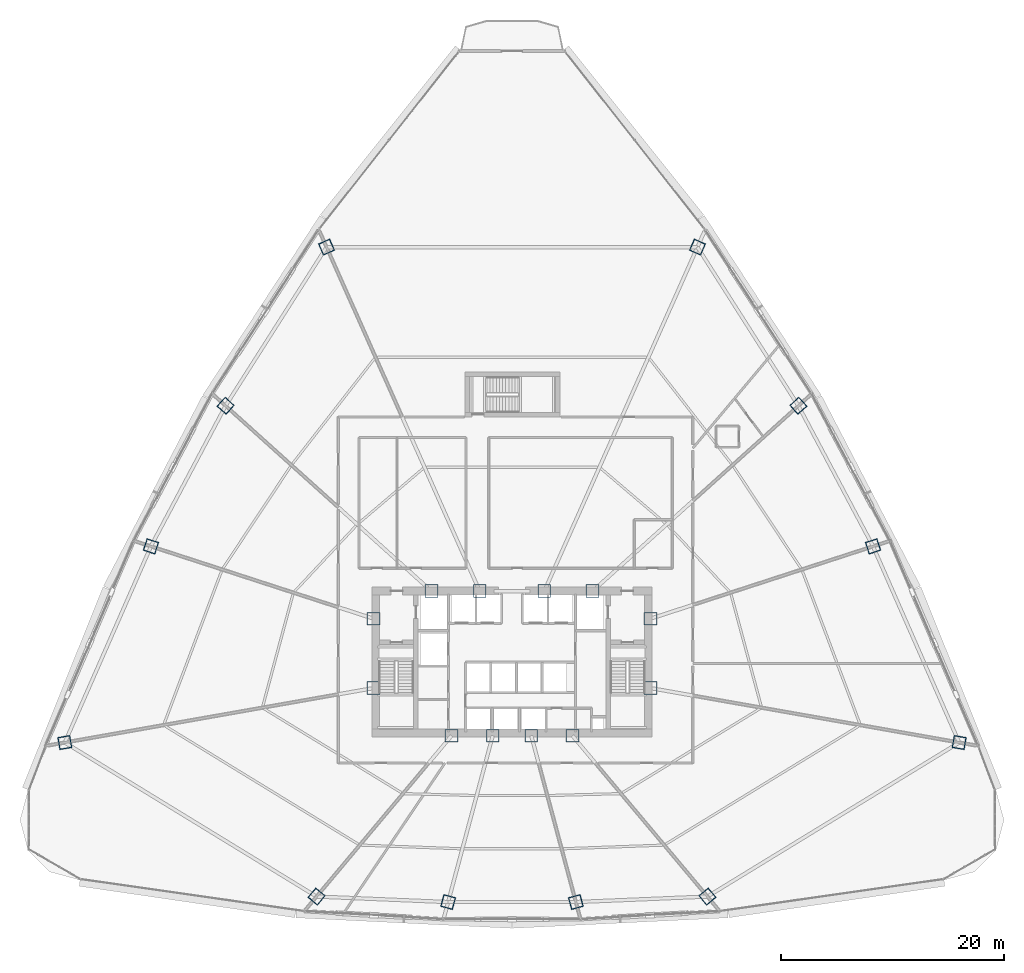
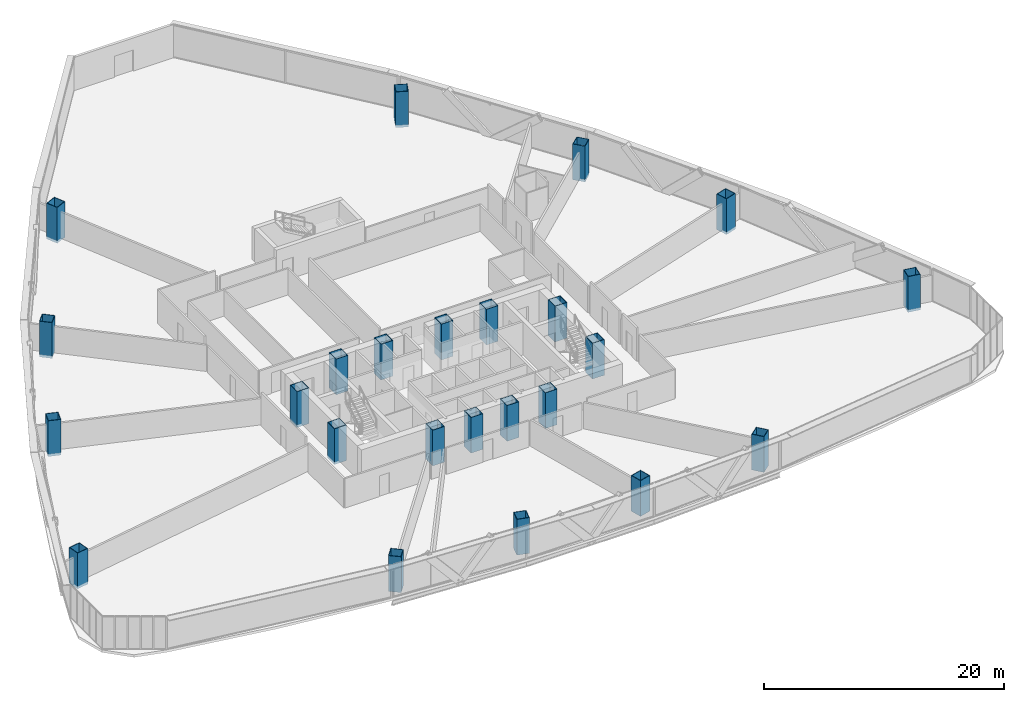
# One storey, part 1 of 42: 24 columns.
"""IFC4 building model written with IfcOpenShell, lengths in metres."""

from ifc_helpers import new_model, si_unit, direction, frame, origin, origin_2d, place, context, subcontext, project, spatial, hollow_rectangle, extrude, source, transform, mapped, material, material_profile, profile_set, type_object, element, save


model = new_model("IFC4")

# Units and contexts
model_context = context("Model", 3, precision=1e-05, world=origin(), true_north=direction((0.0, 1.0)))
body_context = subcontext(model_context, "Body", "Model", "MODEL_VIEW")
ifc_project = project(units=[si_unit("LENGTHUNIT", "METRE"), si_unit("AREAUNIT", "SQUARE_METRE"), si_unit("VOLUMEUNIT", "CUBIC_METRE"), si_unit("PLANEANGLEUNIT", "RADIAN"), si_unit("MASSUNIT", "GRAM", prefix="KILO"), si_unit("THERMODYNAMICTEMPERATUREUNIT", "KELVIN"), si_unit("POWERUNIT", "WATT")], contexts=[model_context])

# Site, building, storey
site_placement = place(None, origin())
site = spatial("IfcSite", under=ifc_project, at=site_placement, CompositionType="ELEMENT")
building_placement = place(site_placement, origin())
building = spatial("IfcBuilding", under=site, at=building_placement, Name="Yunzhuo Pagoda Commons", CompositionType="ELEMENT")
storey_placement = place(building_placement, frame((0.0, 0.0, 41.2900390625)))
storey = spatial("IfcBuildingStorey", under=building, at=storey_placement, Name="L10", CompositionType="ELEMENT", Elevation=41.2900390625)

# Columns
ifc_material = material(Name="Structural steel Q420B", Category="steel")
ifc_material_profile_1 = material_profile(ifc_material, hollow_rectangle(XDim=1.14990234375, YDim=1.14990234375, WallThickness=0.048095703125, at=origin_2d()), Name="Structural steel Q420B")
ifc_profile_set_1 = profile_set([ifc_material_profile_1], Name="Structural steel Q420B")
column_type_1 = type_object("IfcColumnType", Name="C-COR Column BOX 1150x1150x48", PredefinedType="COLUMN", material=ifc_profile_set_1)
shared_shape_1 = source(origin(), body_context, "Body", "SweptSolid", [
    extrude(hollow_rectangle(XDim=1.14990234375, YDim=1.14990234375, WallThickness=0.048095703125, at=origin_2d()), origin(), (0.0, 0.0, 1.0), 3.6298828125),
])
for number, where, z_axis, x_axis, name in (
    (1, (42.587890625, 27.25, -0.260009765625), (0.0, 0.0, 1.0), (1.0, 0.0, 0.0), "L10 core composite column F1C1"),
    (2, (46.27197265625, 27.25, -0.260009765625), (0.0, 0.0, 1.0), (1.0, 0.0, 0.0), "L10 core composite column F1C2"),
    (3, (49.728515625, 27.25, -0.260009765625), (0.0, 0.0, 1.0), (1.0, 0.0, 0.0), "L10 core composite column F1C3"),
    (4, (53.412109375, 27.25, -0.260009765625), (0.0, 0.0, 1.0), (1.0, 0.0, 0.0), "L10 core composite column F1C4"),
    (5, (60.39990234375, 31.513427734375, -0.260009765625), (0.0, 0.0, 1.0), (1.0, 0.0, 0.0), "L10 core composite column F2C1"),
    (6, (60.39990234375, 37.72900390625, -0.260009765625), (0.0, 0.0, 1.0), (1.0, 0.0, 0.0), "L10 core composite column F2C2"),
    (7, (55.218994140625, 40.199951171875, -0.260009765625), (0.0, 0.0, 1.0), (1.0, 0.0, 0.0), "L10 core composite column F2C3"),
    (8, (50.89404296875, 40.199951171875, -0.260009765625), (0.0, 0.0, 1.0), (1.0, 0.0, 0.0), "L10 core composite column F2C4"),
    (9, (45.10595703125, 40.199951171875, -0.260009765625), (0.0, 0.0, 1.0), (1.0, 0.0, 0.0), "L10 core composite column F3C1"),
    (10, (40.781005859375, 40.199951171875, -0.260009765625), (0.0, 0.0, 1.0), (1.0, 0.0, 0.0), "L10 core composite column F3C2"),
    (11, (35.60009765625, 37.72900390625, -0.260009765625), (0.0, 0.0, 1.0), (1.0, 0.0, 0.0), "L10 core composite column F3C3"),
    (12, (35.60009765625, 31.513427734375, -0.260009765625), (0.0, 0.0, 1.0), (1.0, 0.0, 0.0), "L10 core composite column F3C4"),
):
    element("IfcColumn", number, at=place(storey_placement, frame(where, z_axis=z_axis, x_axis=x_axis)), inside=storey, type_object=column_type_1, Name=name, PredefinedType="COLUMN", context=body_context, shape_type="MappedRepresentation", body=[
        mapped(shared_shape_1, transform((0.0, 0.0, 0.0), scale=1.0)),
    ])
ifc_material_profile_2 = material_profile(ifc_material, hollow_rectangle(XDim=1.10009765625, YDim=1.10009765625, WallThickness=0.044921875, at=origin_2d()), Name="Structural steel Q420B")
ifc_profile_set_2 = profile_set([ifc_material_profile_2], Name="Structural steel Q420B")
column_type_2 = type_object("IfcColumnType", Name="C-Z1 Column BOX 1100x1100x45", PredefinedType="COLUMN", material=ifc_profile_set_2)
shared_shape_2 = source(origin(), body_context, "Body", "SweptSolid", [
    extrude(hollow_rectangle(XDim=1.10009765625, YDim=1.10009765625, WallThickness=0.044921875, at=origin_2d()), origin(), (0.0, 0.0, 1.0), 3.6298828125),
])
for number, where, z_axis, x_axis, name in (
    (13, (30.5, 12.844482421875, -0.260009765625), (0.0, 0.0, 1.0), (0.766044443119, -0.642787609687, 0.0), "L10 tower column F1C1"),
    (14, (42.27978515625, 12.35205078125, -0.260009765625), (0.0, 0.0, 1.0), (0.965925826289, -0.258819045103, 0.0), "L10 tower column F1C2"),
    (15, (53.72021484375, 12.35205078125, -0.260009765625), (0.0, 0.0, 1.0), (0.965925826289, 0.258819045103, 0.0), "L10 tower column F1C3"),
    (16, (65.5, 12.844482421875, -0.260009765625), (0.0, 0.0, 1.0), (0.766044443119, 0.642787609687, 0.0), "L10 tower column F1C4"),
    (17, (88.047607421875, 26.638427734375, -0.260009765625), (0.0, 0.0, 1.0), (0.173648177667, 0.984807753012, 0.0), "L10 tower column F2C1"),
    (18, (80.33544921875, 44.206298828125, -0.260009765625), (0.0, 0.0, 1.0), (-0.309016994375, 0.951056516295, 0.0), "L10 tower column F2C2"),
    (19, (73.648681640625, 56.79443359375, -0.260009765625), (0.0, 0.0, 1.0), (-0.669130606359, 0.743144825477, 0.0), "L10 tower column F2C3"),
    (20, (64.61083984375, 71.008544921875, -0.260009765625), (0.0, 0.0, 1.0), (-0.913545457643, 0.406736643076, 0.0), "L10 tower column F2C4"),
    (21, (31.38916015625, 71.008544921875, -0.260009765625), (0.0, 0.0, 1.0), (-0.913545457643, -0.406736643076, 0.0), "L10 tower column F3C1"),
    (22, (22.351318359375, 56.79443359375, -0.260009765625), (0.0, 0.0, 1.0), (-0.669130606359, -0.743144825477, 0.0), "L10 tower column F3C2"),
    (23, (15.66455078125, 44.206298828125, -0.260009765625), (0.0, 0.0, 1.0), (-0.309016994375, -0.951056516295, 0.0), "L10 tower column F3C3"),
    (24, (7.952392578125, 26.638427734375, -0.260009765625), (0.0, 0.0, 1.0), (0.173648177667, -0.984807753012, 0.0), "L10 tower column F3C4"),
):
    element("IfcColumn", number, at=place(storey_placement, frame(where, z_axis=z_axis, x_axis=x_axis)), inside=storey, type_object=column_type_2, Name=name, PredefinedType="COLUMN", context=body_context, shape_type="MappedRepresentation", body=[
        mapped(shared_shape_2, transform((0.0, 0.0, 0.0), scale=1.0)),
    ])

save(model, "model.ifc")
